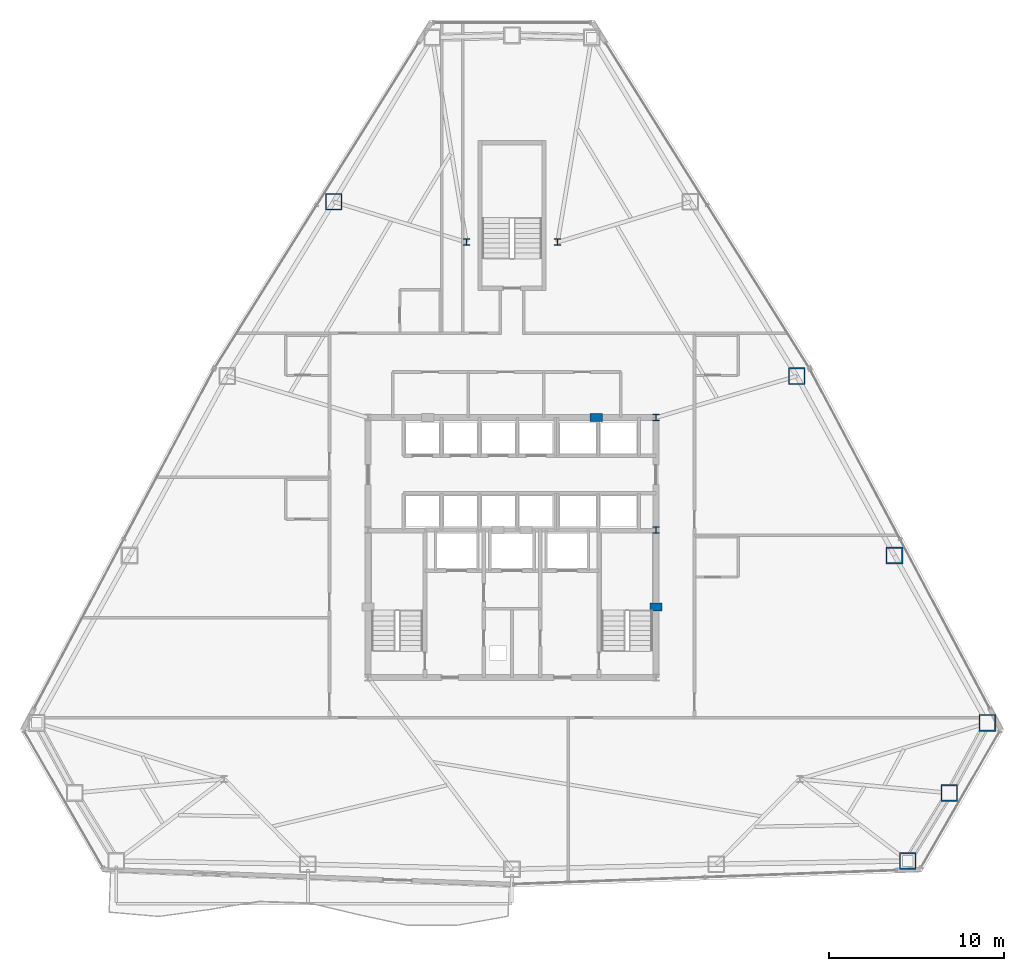
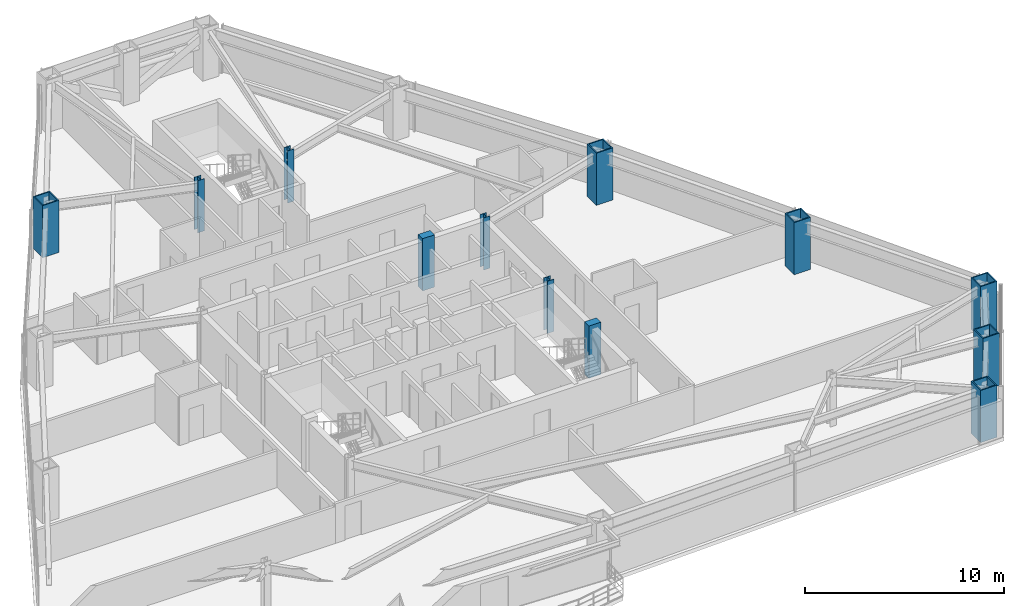
# One storey, part 2 of 13: 12 columns.
"""IFC4 building model written with IfcOpenShell, lengths in metres."""

from ifc_helpers import new_model, si_unit, direction, frame, origin, origin_2d, place, context, subcontext, project, spatial, rectangle, hollow_rectangle, i_section, extrude, material, material_profile, profile_set, type_object, element, save


model = new_model("IFC4")

# Units and contexts
model_context = context("Model", 3, precision=1e-05, world=origin(), true_north=direction((0.0, 1.0)))
body_context = subcontext(model_context, "Body", "Model", "MODEL_VIEW")
ifc_project = project(units=[si_unit("LENGTHUNIT", "METRE"), si_unit("AREAUNIT", "SQUARE_METRE"), si_unit("VOLUMEUNIT", "CUBIC_METRE"), si_unit("PLANEANGLEUNIT", "RADIAN"), si_unit("MASSUNIT", "GRAM", prefix="KILO")], contexts=[model_context])

# Site, building, storey
site_placement = place(None, origin())
site = spatial("IfcSite", under=ifc_project, at=site_placement, CompositionType="ELEMENT")
building_placement = place(site_placement, origin())
building = spatial("IfcBuilding", under=site, at=building_placement, Name="Varakhsha Concourse Tower", CompositionType="ELEMENT")
storey_placement = place(building_placement, frame((0.0, 0.0, 95.800048828125)))
storey = spatial("IfcBuildingStorey", under=building, at=storey_placement, Name="L27", CompositionType="ELEMENT", Elevation=95.800048828125)

# Columns
ifc_material_1 = material(Name="Structural Steel ASTM A992 Grade 50", Category="steel")
ifc_material_profile_1 = material_profile(ifc_material_1, i_section(OverallWidth=0.3740234375, OverallDepth=0.3720703125, WebThickness=0.01611328125, FlangeThickness=0.02587890625, at=origin_2d()), Name="W14X132")
ifc_profile_set_1 = profile_set([ifc_material_profile_1], Name="Structural Steel ASTM A992 Grade 50")
column_type_1 = type_object("IfcColumnType", Name="CL-CORE-W14X132", PredefinedType="COLUMN", material=ifc_profile_set_1)
for number, where, z_axis, x_axis, name in (
    (1, (48.199951171875, 24.800048828125, 0.0), (0.0, 0.0, 1.0), (1.0, 0.0, 0.0), "L27 Core Column CC-ME"),
    (2, (48.199951171875, 31.199951171875, 0.0), (0.0, 0.0, 1.0), (1.0, 0.0, 0.0), "L27 Core Column CC-NE"),
    (3, (37.39990234375, 41.199951171875, 0.0), (0.0, 0.0, 1.0), (1.0, 0.0, 0.0), "L27 Core Column NS-W"),
    (4, (42.60009765625, 41.199951171875, 0.0), (0.0, 0.0, 1.0), (1.0, 0.0, 0.0), "L27 Core Column NS-E"),
):
    element("IfcColumn", number, at=place(storey_placement, frame(where, z_axis=z_axis, x_axis=x_axis)), inside=storey, type_object=column_type_1, Name=name, PredefinedType="COLUMN", context=body_context, shape_type="SweptSolid", body=[
        extrude(i_section(OverallWidth=0.3740234375, OverallDepth=0.3720703125, WebThickness=0.01611328125, FlangeThickness=0.02587890625, at=origin_2d()), origin(), (0.0, 0.0, 1.0), 3.199951171875),
    ])
ifc_material_2 = material(Name="Concrete fc 65 MPa", Category="concrete")
ifc_material_profile_2 = material_profile(ifc_material_2, rectangle(XDim=0.699951171875, YDim=0.449951171875, at=origin_2d()), Name="RC 700x450")
ifc_profile_set_2 = profile_set([ifc_material_profile_2], Name="Concrete fc 65 MPa")
column_type_2 = type_object("IfcColumnType", Name="CL-PIL-700X450", PredefinedType="PILASTER", material=ifc_profile_set_2)
for number, where, z_axis, x_axis, name in (
    (5, (48.199951171875, 20.39990234375, 0.0), (0.0, 0.0, 1.0), (1.0, 0.0, 0.0), "L27 Core Boundary Pilaster PIL-E1"),
    (6, (44.800048828125, 31.199951171875, 0.0), (0.0, 0.0, 1.0), (1.0, 0.0, 0.0), "L27 Core Boundary Pilaster PIL-N2"),
):
    element("IfcColumn", number, at=place(storey_placement, frame(where, z_axis=z_axis, x_axis=x_axis)), inside=storey, type_object=column_type_2, Name=name, PredefinedType="PILASTER", context=body_context, shape_type="SweptSolid", body=[
        extrude(rectangle(XDim=0.699951171875, YDim=0.449951171875, at=origin_2d()), origin(), (0.0, 0.0, 1.0), 3.199951171875),
    ])
ifc_material_3 = material(Name="Structural Steel ASTM A572 Grade 50", Category="steel")
ifc_material_profile_3 = material_profile(ifc_material_3, hollow_rectangle(XDim=0.949951171875, YDim=0.949951171875, WallThickness=0.06494140625, at=origin_2d()), Name="BOX 950x950x65")
ifc_profile_set_3 = profile_set([ifc_material_profile_3], Name="Structural Steel ASTM A572 Grade 50")
column_type_3 = type_object("IfcColumnType", Name="CL-TUBE-950", PredefinedType="COLUMN", material=ifc_profile_set_3)
for number, where, z_axis, x_axis, name in (
    (7, (29.843505859375, 43.499755859375, 0.0), (0.0, 0.0, 1.0), (1.0, 0.0, 0.0), "L27 Framed-Tube Column TC04"),
    (8, (62.54931640625, 5.93701171875, 0.0), (0.0, 0.0, 1.0), (1.0, 0.0, 0.0), "L27 Framed-Tube Column TC13"),
    (9, (64.923583984375, 9.810302734375, 0.0), (0.0, 0.0, 1.0), (1.0, 0.0, 0.0), "L27 Framed-Tube Column TC14"),
    (10, (67.091064453125, 13.80322265625, 0.0), (0.0, 0.0, 1.0), (1.0, 0.0, 0.0), "L27 Framed-Tube Column TC15"),
    (11, (61.79248046875, 23.345947265625, 0.0), (0.0, 0.0, 1.0), (1.0, 0.0, 0.0), "L27 Framed-Tube Column TC16"),
    (12, (56.22802734375, 33.569091796875, 0.0), (0.0, 0.0, 1.0), (1.0, 0.0, 0.0), "L27 Framed-Tube Column TC17"),
):
    element("IfcColumn", number, at=place(storey_placement, frame(where, z_axis=z_axis, x_axis=x_axis)), inside=storey, type_object=column_type_3, Name=name, PredefinedType="COLUMN", context=body_context, shape_type="SweptSolid", body=[
        extrude(hollow_rectangle(XDim=0.949951171875, YDim=0.949951171875, WallThickness=0.06494140625, at=origin_2d()), origin(), (0.0, 0.0, 1.0), 3.199951171875),
    ])

save(model, "model.ifc")
